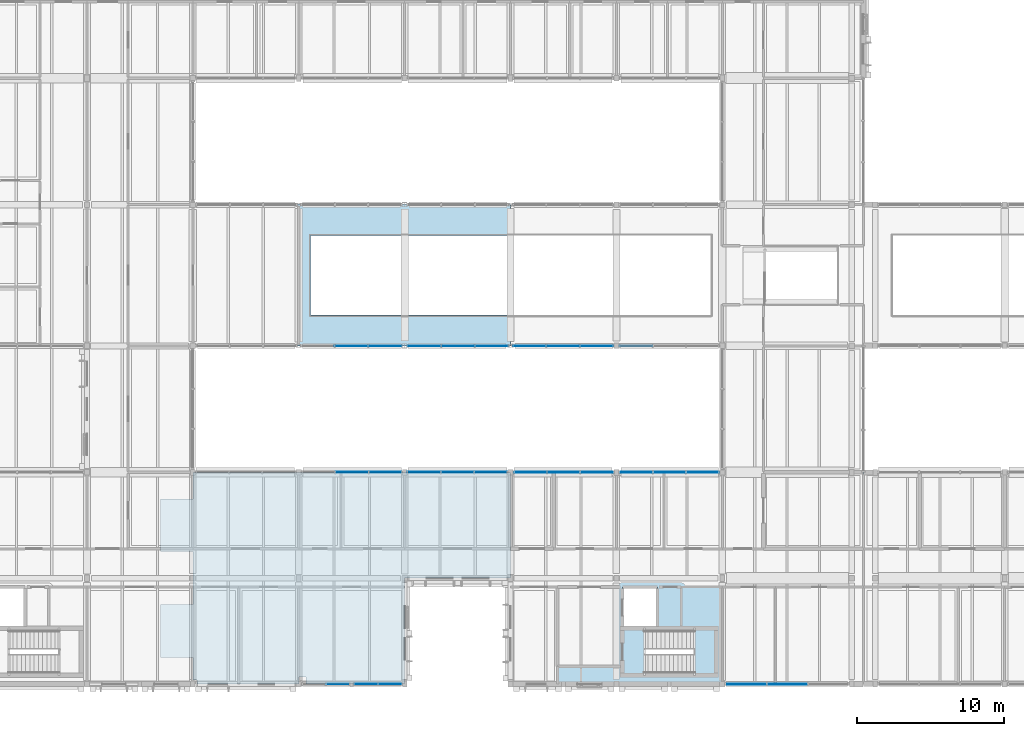
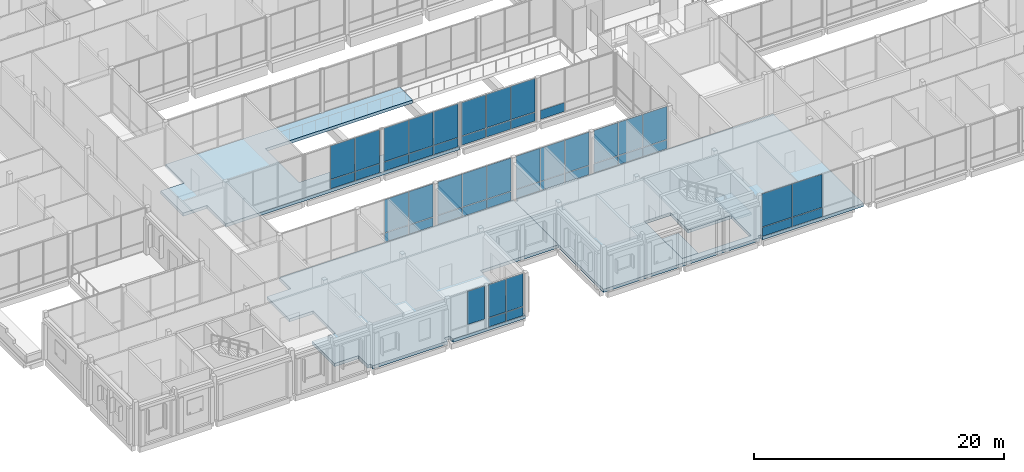
# One storey, part 96 of 146: 48 plates, 5 slabs, 12 elements without a shape of their own.
"""IFC4 building model written with IfcOpenShell, lengths in metres."""

from ifc_helpers import new_model, si_unit, direction, frame, origin, origin_2d, place, context, subcontext, project, spatial, polyline, rectangle, outline, extrude, material, layer, layer_set, type_object, element, aggregate, save


model = new_model("IFC4")

# Units and contexts
model_context = context("Model", 3, precision=1e-05, world=origin(), true_north=direction((0.0, 1.0)))
body_context = subcontext(model_context, "Body", "Model", "MODEL_VIEW")
ifc_project = project(units=[si_unit("LENGTHUNIT", "METRE"), si_unit("AREAUNIT", "SQUARE_METRE"), si_unit("VOLUMEUNIT", "CUBIC_METRE"), si_unit("PLANEANGLEUNIT", "RADIAN"), si_unit("MASSUNIT", "GRAM", prefix="KILO")], contexts=[model_context])

# Site, building, storey
site_placement = place(None, origin())
site = spatial("IfcSite", under=ifc_project, at=site_placement, CompositionType="ELEMENT")
building_placement = place(site_placement, origin())
building = spatial("IfcBuilding", under=site, at=building_placement, Name="Hawrajan Terrace Health Centre", CompositionType="ELEMENT")
storey_placement = place(building_placement, frame((0.0, 0.0, 4.5)))
storey = spatial("IfcBuildingStorey", under=building, at=storey_placement, Name="L01", CompositionType="ELEMENT", Elevation=4.5)

# Curtain wall, plates
ifc_material_1 = material(Name="Anodized bronze aluminium and low-E solar glazing", Category="aluminium")
curtain_wall_type_1 = type_object("IfcCurtainWallType", Name="CW_Garden_SeriesF1", PredefinedType="USERDEFINED", material=ifc_material_1)
curtain_wall_1_placement = place(storey_placement, origin())
curtain_wall_1 = element("IfcCurtainWall", 1, at=curtain_wall_1_placement, inside=storey, type_object=curtain_wall_type_1, Name="Curtain wall CW-L01-062", ObjectType="UNITISED CURTAIN WALL", PredefinedType="USERDEFINED")
ifc_material_2 = material(Name="Diffused north-light insulated glazing", Category="glass")
ifc_layer_1 = layer(ifc_material_2, 0.031982421875)
ifc_layer_set_1 = layer_set([ifc_layer_1], Name="Diffused north-light insulated glazing")
plate_type_1 = type_object("IfcPlateType", Name="ClerestoryGlassPanel_32", PredefinedType="CURTAIN_PANEL", material=ifc_layer_set_1)
plate_1_placement = place(storey_placement, frame((37.96875, 4.199951171875, 0.9814453125), z_axis=(0.0, 0.0, 1.0), x_axis=(1.0, 0.0, 0.0)))
plate_1 = element("IfcPlate", 2, at=plate_1_placement, type_object=plate_type_1, Name="Curtain panel CW-L01-062-P1-2", PredefinedType="CURTAIN_PANEL", context=body_context, shape_type="SweptSolid", body=[
    extrude(rectangle(XDim=1.5595703125, YDim=0.031982421875, at=origin_2d()), origin(), (0.0, 0.0, 1.0), 3.20947265625),
])
plate_2_placement = place(storey_placement, frame((39.59130859375, 4.199951171875, 0.9814453125), z_axis=(0.0, 0.0, 1.0), x_axis=(1.0, 0.0, 0.0)))
plate_2 = element("IfcPlate", 3, at=plate_2_placement, type_object=plate_type_1, Name="Curtain panel CW-L01-062-P2-2", PredefinedType="CURTAIN_PANEL", context=body_context, shape_type="SweptSolid", body=[
    extrude(rectangle(XDim=1.5595703125, YDim=0.031982421875, at=origin_2d()), origin(), (0.0, 0.0, 1.0), 3.20947265625),
])

curtain_wall_type_2 = type_object("IfcCurtainWallType", Name="CW_Court_SeriesA2", PredefinedType="USERDEFINED", material=ifc_material_1)
curtain_wall_2_placement = place(storey_placement, origin())
curtain_wall_2 = element("IfcCurtainWall", 4, at=curtain_wall_2_placement, inside=storey, type_object=curtain_wall_type_2, Name="Curtain wall CW-L01-074", ObjectType="UNITISED CURTAIN WALL", PredefinedType="USERDEFINED")
plate_3_placement = place(storey_placement, frame((49.086181640625, 27.199951171875, 0.9814453125), z_axis=(0.0, 0.0, 1.0), x_axis=(1.0, 0.0, 0.0)))
plate_3 = element("IfcPlate", 5, at=plate_3_placement, type_object=plate_type_1, Name="Curtain panel CW-L01-074-P1-2", PredefinedType="CURTAIN_PANEL", context=body_context, shape_type="SweptSolid", body=[
    extrude(rectangle(XDim=2.215576171875, YDim=0.031982421875, at=origin_2d()), origin(), (0.0, 0.0, 1.0), 3.24951171875),
])
plate_4_placement = place(storey_placement, frame((51.36474609375, 27.199951171875, 0.9814453125), z_axis=(0.0, 0.0, 1.0), x_axis=(1.0, 0.0, 0.0)))
plate_4 = element("IfcPlate", 6, at=plate_4_placement, type_object=plate_type_1, Name="Curtain panel CW-L01-074-P2-2", PredefinedType="CURTAIN_PANEL", context=body_context, shape_type="SweptSolid", body=[
    extrude(rectangle(XDim=2.215576171875, YDim=0.031982421875, at=origin_2d()), origin(), (0.0, 0.0, 1.0), 3.24951171875),
])
plate_5_placement = place(storey_placement, frame((53.643310546875, 27.199951171875, 0.9814453125), z_axis=(0.0, 0.0, 1.0), x_axis=(1.0, 0.0, 0.0)))
plate_5 = element("IfcPlate", 7, at=plate_5_placement, type_object=plate_type_1, Name="Curtain panel CW-L01-074-P3-2", PredefinedType="CURTAIN_PANEL", context=body_context, shape_type="SweptSolid", body=[
    extrude(rectangle(XDim=2.215576171875, YDim=0.031982421875, at=origin_2d()), origin(), (0.0, 0.0, 1.0), 3.24951171875),
])

curtain_wall_type_3 = type_object("IfcCurtainWallType", Name="CW_Court_SeriesB2", PredefinedType="USERDEFINED", material=ifc_material_1)
curtain_wall_3_placement = place(storey_placement, origin())
curtain_wall_3 = element("IfcCurtainWall", 8, at=curtain_wall_3_placement, inside=storey, type_object=curtain_wall_type_3, Name="Curtain wall CW-L01-077", ObjectType="UNITISED CURTAIN WALL", PredefinedType="USERDEFINED")
plate_6_placement = place(storey_placement, frame((56.328369140625, 18.60009765625, 0.9814453125), z_axis=(0.0, 0.0, 1.0), x_axis=(1.0, 0.0, 0.0)))
plate_6 = element("IfcPlate", 9, at=plate_6_placement, type_object=plate_type_1, Name="Curtain panel CW-L01-077-P1-2", PredefinedType="CURTAIN_PANEL", context=body_context, shape_type="SweptSolid", body=[
    extrude(rectangle(XDim=2.19873046875, YDim=0.031982421875, at=origin_2d()), origin(), (0.0, 0.0, 1.0), 3.20947265625),
])
plate_7_placement = place(storey_placement, frame((58.590087890625, 18.60009765625, 0.9814453125), z_axis=(0.0, 0.0, 1.0), x_axis=(1.0, 0.0, 0.0)))
plate_7 = element("IfcPlate", 10, at=plate_7_placement, type_object=plate_type_1, Name="Curtain panel CW-L01-077-P2-2", PredefinedType="CURTAIN_PANEL", context=body_context, shape_type="SweptSolid", body=[
    extrude(rectangle(XDim=2.19873046875, YDim=0.031982421875, at=origin_2d()), origin(), (0.0, 0.0, 1.0), 3.20947265625),
])
plate_8_placement = place(storey_placement, frame((60.851806640625, 18.60009765625, 0.9814453125), z_axis=(0.0, 0.0, 1.0), x_axis=(1.0, 0.0, 0.0)))
plate_8 = element("IfcPlate", 11, at=plate_8_placement, type_object=plate_type_1, Name="Curtain panel CW-L01-077-P3-2", PredefinedType="CURTAIN_PANEL", context=body_context, shape_type="SweptSolid", body=[
    extrude(rectangle(XDim=2.19873046875, YDim=0.031982421875, at=origin_2d()), origin(), (0.0, 0.0, 1.0), 3.20947265625),
])

# Slabs
ifc_material_3 = material(Name="Concrete C40/50", Category="concrete")
ifc_layer_2 = layer(ifc_material_3, 0.300048828125)
ifc_layer_set_2 = layer_set([ifc_layer_2], Name="Concrete C40/50")
slab_type_1 = type_object("IfcSlabType", Name="PodiumSlab_RC300", PredefinedType="FLOOR", material=ifc_layer_set_2)
slab_1_placement = place(storey_placement, frame((0.0, 0.0, -0.300048828125)))
element("IfcSlab", 12, at=slab_1_placement, inside=storey, type_object=slab_type_1, Name="Structural slab SL-L01-W-V1-Z1-1", PredefinedType="FLOOR", context=body_context, shape_type="SweptSolid", body=[
    extrude(outline(polyline([(33.39990234375, 36.800048828125), (40.60009765625, 36.800048828125), (47.800048828125, 36.800048828125), (47.800048828125, 34.699951171875), (34.199951171875, 34.699951171875), (34.199951171875, 29.300048828125), (47.800048828125, 29.300048828125), (47.800048828125, 27.199951171875), (40.60009765625, 27.199951171875), (33.39990234375, 27.199951171875), (26.201904296875, 27.199951171875), (26.201904296875, 30.201904296875), (24.001953125, 30.201904296875), (24.001953125, 33.798095703125), (26.201904296875, 33.798095703125), (26.201904296875, 36.800048828125), (33.39990234375, 36.800048828125)])), origin(), (0.0, 0.0, 1.0), 0.300048828125),
])
slab_2_placement = place(storey_placement, frame((0.0, 0.0, -0.300048828125)))
element("IfcSlab", 13, at=slab_2_placement, inside=storey, type_object=slab_type_1, Name="Structural slab SL-L01-W-V3-Z2-1", PredefinedType="FLOOR", context=body_context, shape_type="SweptSolid", body=[
    extrude(outline(polyline([(48.080078125, 18.320068359375), (48.080078125, 18.60009765625), (55.0, 18.60009765625), (62.197998046875, 18.60009765625), (62.197998046875, 18.597900390625), (71.794921875, 18.597900390625), (71.794921875, 11.39990234375), (71.794921875, 4.199951171875), (62.47998046875, 4.199951171875), (62.47998046875, 4.47998046875), (62.199951171875, 4.47998046875), (62.199951171875, 4.199951171875), (55.0, 4.199951171875), (47.800048828125, 4.199951171875), (47.800048828125, 11.39990234375), (47.800048828125, 18.320068359375), (48.080078125, 18.320068359375)]), holes=[polyline([(55.39990234375, 8.0), (55.39990234375, 4.800048828125), (61.800048828125, 4.800048828125), (61.800048828125, 8.0), (57.800048828125, 8.0), (57.800048828125, 10.800048828125), (55.39990234375, 10.800048828125), (55.39990234375, 8.0)])]), origin(), (0.0, 0.0, 1.0), 0.300048828125),
])
slab_3_placement = place(storey_placement, frame((0.0, 0.0, -0.300048828125)))
element("IfcSlab", 14, at=slab_3_placement, inside=storey, type_object=slab_type_1, Name="Structural slab SL-L01-W-V4-Z1-1", PredefinedType="FLOOR", context=body_context, shape_type="SweptSolid", body=[
    extrude(outline(polyline([(33.39990234375, 18.60009765625), (40.60009765625, 18.60009765625), (47.800048828125, 18.60009765625), (47.800048828125, 18.322021484375), (47.798095703125, 18.322021484375), (47.798095703125, 11.39990234375), (40.60009765625, 11.39990234375), (40.60009765625, 4.199951171875), (33.89990234375, 4.199951171875), (33.89990234375, 4.699951171875), (33.39990234375, 4.699951171875), (33.39990234375, 4.199951171875), (26.47998046875, 4.199951171875), (26.47998046875, 4.47998046875), (26.201904296875, 4.47998046875), (26.201904296875, 6.001953125), (24.001953125, 6.001953125), (24.001953125, 9.597900390625), (26.201904296875, 9.597900390625), (26.201904296875, 13.201904296875), (24.001953125, 13.201904296875), (24.001953125, 16.798095703125), (26.201904296875, 16.798095703125), (26.201904296875, 18.597900390625), (26.201904296875, 18.60009765625), (33.39990234375, 18.60009765625)])), origin(), (0.0, 0.0, 1.0), 0.300048828125),
])

# Plate
ifc_material_4 = material(Name="Insulated anodized bronze spandrel panel")
ifc_layer_3 = layer(ifc_material_4, 0.048095703125)
ifc_layer_set_3 = layer_set([ifc_layer_3], Name="Insulated anodized bronze spandrel panel")
plate_type_2 = type_object("IfcPlateType", Name="SpandrelPanel_Bronze48", PredefinedType="CURTAIN_PANEL", material=ifc_layer_set_3)
plate_9_placement = place(storey_placement, frame((37.96875, 4.199951171875, 0.069091796875), z_axis=(0.0, 0.0, 1.0), x_axis=(1.0, 0.0, 0.0)))
plate_9 = element("IfcPlate", 15, at=plate_9_placement, type_object=plate_type_2, Name="Curtain panel CW-L01-062-P1-1", PredefinedType="CURTAIN_PANEL", context=body_context, shape_type="SweptSolid", body=[
    extrude(rectangle(XDim=1.5595703125, YDim=0.048095703125, at=origin_2d()), origin(), (0.0, 0.0, 1.0), 0.849609375),
])

plate_10_placement = place(storey_placement, frame((39.59130859375, 4.199951171875, 0.069091796875), z_axis=(0.0, 0.0, 1.0), x_axis=(1.0, 0.0, 0.0)))
plate_10 = element("IfcPlate", 16, at=plate_10_placement, type_object=plate_type_2, Name="Curtain panel CW-L01-062-P2-1", PredefinedType="CURTAIN_PANEL", context=body_context, shape_type="SweptSolid", body=[
    extrude(rectangle(XDim=1.5595703125, YDim=0.048095703125, at=origin_2d()), origin(), (0.0, 0.0, 1.0), 0.849609375),
])

aggregate(curtain_wall_1, [plate_9, plate_1, plate_10, plate_2])

# Curtain wall, plates
curtain_wall_type_4 = type_object("IfcCurtainWallType", Name="CW_Clerestory_SeriesG1", PredefinedType="USERDEFINED", material=ifc_material_1)
curtain_wall_4_placement = place(storey_placement, origin())
curtain_wall_4 = element("IfcCurtainWall", 17, at=curtain_wall_4_placement, inside=storey, type_object=curtain_wall_type_4, Name="Curtain wall CW-L01-064", ObjectType="UNITISED CURTAIN WALL", PredefinedType="USERDEFINED")
plate_11_placement = place(storey_placement, frame((36.979736328125, 27.199951171875, 0.05908203125), z_axis=(0.0, 0.0, 1.0), x_axis=(1.0, 0.0, 0.0)))
plate_11 = element("IfcPlate", 18, at=plate_11_placement, type_object=plate_type_2, Name="Curtain panel CW-L01-064-P2-1", PredefinedType="CURTAIN_PANEL", context=body_context, shape_type="SweptSolid", body=[
    extrude(rectangle(XDim=2.23876953125, YDim=0.048095703125, at=origin_2d()), origin(), (0.0, 0.0, 1.0), 0.864501953125),
])
plate_12_placement = place(storey_placement, frame((39.271484375, 27.199951171875, 0.05908203125), z_axis=(0.0, 0.0, 1.0), x_axis=(1.0, 0.0, 0.0)))
plate_12 = element("IfcPlate", 19, at=plate_12_placement, type_object=plate_type_2, Name="Curtain panel CW-L01-064-P3-1", PredefinedType="CURTAIN_PANEL", context=body_context, shape_type="SweptSolid", body=[
    extrude(rectangle(XDim=2.23876953125, YDim=0.048095703125, at=origin_2d()), origin(), (0.0, 0.0, 1.0), 0.864501953125),
])

curtain_wall_type_5 = type_object("IfcCurtainWallType", Name="CW_Setback_SeriesL1", PredefinedType="USERDEFINED", material=ifc_material_1)
curtain_wall_5_placement = place(storey_placement, origin())
curtain_wall_5 = element("IfcCurtainWall", 20, at=curtain_wall_5_placement, inside=storey, type_object=curtain_wall_type_5, Name="Curtain wall CW-L01-070", ObjectType="UNITISED CURTAIN WALL", PredefinedType="USERDEFINED")
plate_13_placement = place(storey_placement, frame((41.928466796875, 27.199951171875, 0.05908203125), z_axis=(0.0, 0.0, 1.0), x_axis=(1.0, 0.0, 0.0)))
plate_13 = element("IfcPlate", 21, at=plate_13_placement, type_object=plate_type_2, Name="Curtain panel CW-L01-070-P1-1", PredefinedType="CURTAIN_PANEL", context=body_context, shape_type="SweptSolid", body=[
    extrude(rectangle(XDim=2.23876953125, YDim=0.048095703125, at=origin_2d()), origin(), (0.0, 0.0, 1.0), 0.864501953125),
])
plate_14_placement = place(storey_placement, frame((44.22021484375, 27.199951171875, 0.05908203125), z_axis=(0.0, 0.0, 1.0), x_axis=(1.0, 0.0, 0.0)))
plate_14 = element("IfcPlate", 22, at=plate_14_placement, type_object=plate_type_2, Name="Curtain panel CW-L01-070-P2-1", PredefinedType="CURTAIN_PANEL", context=body_context, shape_type="SweptSolid", body=[
    extrude(rectangle(XDim=2.23876953125, YDim=0.048095703125, at=origin_2d()), origin(), (0.0, 0.0, 1.0), 0.864501953125),
])
plate_15_placement = place(storey_placement, frame((46.511962890625, 27.199951171875, 0.05908203125), z_axis=(0.0, 0.0, 1.0), x_axis=(1.0, 0.0, 0.0)))
plate_15 = element("IfcPlate", 23, at=plate_15_placement, type_object=plate_type_2, Name="Curtain panel CW-L01-070-P3-1", PredefinedType="CURTAIN_PANEL", context=body_context, shape_type="SweptSolid", body=[
    extrude(rectangle(XDim=2.23876953125, YDim=0.048095703125, at=origin_2d()), origin(), (0.0, 0.0, 1.0), 0.864501953125),
])

# Plate
plate_16_placement = place(storey_placement, frame((49.086181640625, 27.199951171875, 0.069091796875), z_axis=(0.0, 0.0, 1.0), x_axis=(1.0, 0.0, 0.0)))
plate_16 = element("IfcPlate", 24, at=plate_16_placement, type_object=plate_type_2, Name="Curtain panel CW-L01-074-P1-1", PredefinedType="CURTAIN_PANEL", context=body_context, shape_type="SweptSolid", body=[
    extrude(rectangle(XDim=2.215576171875, YDim=0.048095703125, at=origin_2d()), origin(), (0.0, 0.0, 1.0), 0.849609375),
])

plate_17_placement = place(storey_placement, frame((51.36474609375, 27.199951171875, 0.069091796875), z_axis=(0.0, 0.0, 1.0), x_axis=(1.0, 0.0, 0.0)))
plate_17 = element("IfcPlate", 25, at=plate_17_placement, type_object=plate_type_2, Name="Curtain panel CW-L01-074-P2-1", PredefinedType="CURTAIN_PANEL", context=body_context, shape_type="SweptSolid", body=[
    extrude(rectangle(XDim=2.215576171875, YDim=0.048095703125, at=origin_2d()), origin(), (0.0, 0.0, 1.0), 0.849609375),
])

plate_18_placement = place(storey_placement, frame((53.643310546875, 27.199951171875, 0.069091796875), z_axis=(0.0, 0.0, 1.0), x_axis=(1.0, 0.0, 0.0)))
plate_18 = element("IfcPlate", 26, at=plate_18_placement, type_object=plate_type_2, Name="Curtain panel CW-L01-074-P3-1", PredefinedType="CURTAIN_PANEL", context=body_context, shape_type="SweptSolid", body=[
    extrude(rectangle(XDim=2.215576171875, YDim=0.048095703125, at=origin_2d()), origin(), (0.0, 0.0, 1.0), 0.849609375),
])

aggregate(curtain_wall_2, [plate_16, plate_3, plate_17, plate_4, plate_18, plate_5])

# Curtain wall, plate
curtain_wall_type_6 = type_object("IfcCurtainWallType", Name="CW_Court_SeriesB3", PredefinedType="USERDEFINED", material=ifc_material_1)
curtain_wall_6_placement = place(storey_placement, origin())
curtain_wall_6 = element("IfcCurtainWall", 27, at=curtain_wall_6_placement, inside=storey, type_object=curtain_wall_type_6, Name="Curtain wall CW-L01-078", ObjectType="UNITISED CURTAIN WALL", PredefinedType="USERDEFINED")
plate_19_placement = place(storey_placement, frame((56.341796875, 27.199951171875, 0.05908203125), z_axis=(0.0, 0.0, 1.0), x_axis=(1.0, 0.0, 0.0)))
plate_19 = element("IfcPlate", 28, at=plate_19_placement, type_object=plate_type_2, Name="Curtain panel CW-L01-078-P1-1", PredefinedType="CURTAIN_PANEL", context=body_context, shape_type="SweptSolid", body=[
    extrude(rectangle(XDim=2.205322265625, YDim=0.048095703125, at=origin_2d()), origin(), (0.0, 0.0, 1.0), 0.864501953125),
])
aggregate(curtain_wall_6, [plate_19])

# Curtain wall, plates
curtain_wall_type_7 = type_object("IfcCurtainWallType", Name="CW_Garden_SeriesF2", PredefinedType="USERDEFINED", material=ifc_material_1)
curtain_wall_7_placement = place(storey_placement, origin())
curtain_wall_7 = element("IfcCurtainWall", 29, at=curtain_wall_7_placement, inside=storey, type_object=curtain_wall_type_7, Name="Curtain wall CW-L01-063", ObjectType="UNITISED CURTAIN WALL", PredefinedType="USERDEFINED")
ifc_material_5 = material(Name="Insulated reconstituted coral-stone spandrel", Category="masonry")
ifc_layer_4 = layer(ifc_material_5, 0.055908203125)
ifc_layer_set_4 = layer_set([ifc_layer_4], Name="Insulated reconstituted coral-stone spandrel")
plate_type_3 = type_object("IfcPlateType", Name="SpandrelPanel_Coral56", PredefinedType="CURTAIN_PANEL", material=ifc_layer_set_4)
plate_20_placement = place(storey_placement, frame((37.010009765625, 18.60009765625, 0.05908203125), z_axis=(0.0, 0.0, 1.0), x_axis=(1.0, 0.0, 0.0)))
plate_20 = element("IfcPlate", 30, at=plate_20_placement, type_object=plate_type_3, Name="Curtain panel CW-L01-063-P2-1", PredefinedType="CURTAIN_PANEL", context=body_context, shape_type="SweptSolid", body=[
    extrude(rectangle(XDim=2.2119140625, YDim=0.055908203125, at=origin_2d()), origin(), (0.0, 0.0, 1.0), 0.864501953125),
])
plate_21_placement = place(storey_placement, frame((39.27490234375, 18.60009765625, 0.05908203125), z_axis=(0.0, 0.0, 1.0), x_axis=(1.0, 0.0, 0.0)))
plate_21 = element("IfcPlate", 31, at=plate_21_placement, type_object=plate_type_3, Name="Curtain panel CW-L01-063-P3-1", PredefinedType="CURTAIN_PANEL", context=body_context, shape_type="SweptSolid", body=[
    extrude(rectangle(XDim=2.2119140625, YDim=0.055908203125, at=origin_2d()), origin(), (0.0, 0.0, 1.0), 0.864501953125),
])

curtain_wall_type_8 = type_object("IfcCurtainWallType", Name="CW_Terrace_SeriesK1", PredefinedType="USERDEFINED", material=ifc_material_1)
curtain_wall_8_placement = place(storey_placement, origin())
curtain_wall_8 = element("IfcCurtainWall", 32, at=curtain_wall_8_placement, inside=storey, type_object=curtain_wall_type_8, Name="Curtain wall CW-L01-069", ObjectType="UNITISED CURTAIN WALL", PredefinedType="USERDEFINED")
plate_22_placement = place(storey_placement, frame((41.925048828125, 18.60009765625, 0.05908203125), z_axis=(0.0, 0.0, 1.0), x_axis=(1.0, 0.0, 0.0)))
plate_22 = element("IfcPlate", 33, at=plate_22_placement, type_object=plate_type_3, Name="Curtain panel CW-L01-069-P1-1", PredefinedType="CURTAIN_PANEL", context=body_context, shape_type="SweptSolid", body=[
    extrude(rectangle(XDim=2.2119140625, YDim=0.055908203125, at=origin_2d()), origin(), (0.0, 0.0, 1.0), 0.864501953125),
])
plate_23_placement = place(storey_placement, frame((44.18994140625, 18.60009765625, 0.05908203125), z_axis=(0.0, 0.0, 1.0), x_axis=(1.0, 0.0, 0.0)))
plate_23 = element("IfcPlate", 34, at=plate_23_placement, type_object=plate_type_3, Name="Curtain panel CW-L01-069-P2-1", PredefinedType="CURTAIN_PANEL", context=body_context, shape_type="SweptSolid", body=[
    extrude(rectangle(XDim=2.2119140625, YDim=0.055908203125, at=origin_2d()), origin(), (0.0, 0.0, 1.0), 0.864501953125),
])
plate_24_placement = place(storey_placement, frame((46.455078125, 18.60009765625, 0.05908203125), z_axis=(0.0, 0.0, 1.0), x_axis=(1.0, 0.0, 0.0)))
plate_24 = element("IfcPlate", 35, at=plate_24_placement, type_object=plate_type_3, Name="Curtain panel CW-L01-069-P3-1", PredefinedType="CURTAIN_PANEL", context=body_context, shape_type="SweptSolid", body=[
    extrude(rectangle(XDim=2.2119140625, YDim=0.055908203125, at=origin_2d()), origin(), (0.0, 0.0, 1.0), 0.864501953125),
])

curtain_wall_type_9 = type_object("IfcCurtainWallType", Name="CW_Court_SeriesA1", PredefinedType="USERDEFINED", material=ifc_material_1)
curtain_wall_9_placement = place(storey_placement, origin())
curtain_wall_9 = element("IfcCurtainWall", 36, at=curtain_wall_9_placement, inside=storey, type_object=curtain_wall_type_9, Name="Curtain wall CW-L01-073", ObjectType="UNITISED CURTAIN WALL", PredefinedType="USERDEFINED")
plate_25_placement = place(storey_placement, frame((49.14501953125, 18.60009765625, 0.05908203125), z_axis=(0.0, 0.0, 1.0), x_axis=(1.0, 0.0, 0.0)))
plate_25 = element("IfcPlate", 37, at=plate_25_placement, type_object=plate_type_3, Name="Curtain panel CW-L01-073-P1-1", PredefinedType="CURTAIN_PANEL", context=body_context, shape_type="SweptSolid", body=[
    extrude(rectangle(XDim=2.2119140625, YDim=0.055908203125, at=origin_2d()), origin(), (0.0, 0.0, 1.0), 0.864501953125),
])
plate_26_placement = place(storey_placement, frame((51.409912109375, 18.60009765625, 0.05908203125), z_axis=(0.0, 0.0, 1.0), x_axis=(1.0, 0.0, 0.0)))
plate_26 = element("IfcPlate", 38, at=plate_26_placement, type_object=plate_type_3, Name="Curtain panel CW-L01-073-P2-1", PredefinedType="CURTAIN_PANEL", context=body_context, shape_type="SweptSolid", body=[
    extrude(rectangle(XDim=2.2119140625, YDim=0.055908203125, at=origin_2d()), origin(), (0.0, 0.0, 1.0), 0.864501953125),
])
plate_27_placement = place(storey_placement, frame((53.675048828125, 18.60009765625, 0.05908203125), z_axis=(0.0, 0.0, 1.0), x_axis=(1.0, 0.0, 0.0)))
plate_27 = element("IfcPlate", 39, at=plate_27_placement, type_object=plate_type_3, Name="Curtain panel CW-L01-073-P3-1", PredefinedType="CURTAIN_PANEL", context=body_context, shape_type="SweptSolid", body=[
    extrude(rectangle(XDim=2.2119140625, YDim=0.055908203125, at=origin_2d()), origin(), (0.0, 0.0, 1.0), 0.864501953125),
])

# Plate
plate_28_placement = place(storey_placement, frame((56.328369140625, 18.60009765625, 0.069091796875), z_axis=(0.0, 0.0, 1.0), x_axis=(1.0, 0.0, 0.0)))
plate_28 = element("IfcPlate", 40, at=plate_28_placement, type_object=plate_type_3, Name="Curtain panel CW-L01-077-P1-1", PredefinedType="CURTAIN_PANEL", context=body_context, shape_type="SweptSolid", body=[
    extrude(rectangle(XDim=2.19873046875, YDim=0.055908203125, at=origin_2d()), origin(), (0.0, 0.0, 1.0), 0.849609375),
])

plate_29_placement = place(storey_placement, frame((58.590087890625, 18.60009765625, 0.069091796875), z_axis=(0.0, 0.0, 1.0), x_axis=(1.0, 0.0, 0.0)))
plate_29 = element("IfcPlate", 41, at=plate_29_placement, type_object=plate_type_3, Name="Curtain panel CW-L01-077-P2-1", PredefinedType="CURTAIN_PANEL", context=body_context, shape_type="SweptSolid", body=[
    extrude(rectangle(XDim=2.19873046875, YDim=0.055908203125, at=origin_2d()), origin(), (0.0, 0.0, 1.0), 0.849609375),
])

plate_30_placement = place(storey_placement, frame((60.851806640625, 18.60009765625, 0.069091796875), z_axis=(0.0, 0.0, 1.0), x_axis=(1.0, 0.0, 0.0)))
plate_30 = element("IfcPlate", 42, at=plate_30_placement, type_object=plate_type_3, Name="Curtain panel CW-L01-077-P3-1", PredefinedType="CURTAIN_PANEL", context=body_context, shape_type="SweptSolid", body=[
    extrude(rectangle(XDim=2.19873046875, YDim=0.055908203125, at=origin_2d()), origin(), (0.0, 0.0, 1.0), 0.849609375),
])

aggregate(curtain_wall_3, [plate_28, plate_6, plate_29, plate_7, plate_30, plate_8])

# Curtain wall, plates
curtain_wall_type_10 = type_object("IfcCurtainWallType", Name="CW_CourtNS_SeriesC3", PredefinedType="USERDEFINED", material=ifc_material_1)
curtain_wall_10_placement = place(storey_placement, origin())
curtain_wall_10 = element("IfcCurtainWall", 43, at=curtain_wall_10_placement, inside=storey, type_object=curtain_wall_type_10, Name="Curtain wall CW-L01-081", ObjectType="UNITISED CURTAIN WALL", PredefinedType="USERDEFINED")
plate_31_placement = place(storey_placement, frame((63.811767578125, 4.199951171875, 0.05908203125), z_axis=(0.0, 0.0, 1.0), x_axis=(1.0, 0.0, 0.0)))
plate_31 = element("IfcPlate", 44, at=plate_31_placement, type_object=plate_type_3, Name="Curtain panel CW-L01-081-P1-1", PredefinedType="CURTAIN_PANEL", context=body_context, shape_type="SweptSolid", body=[
    extrude(rectangle(XDim=2.745361328125, YDim=0.055908203125, at=origin_2d()), origin(), (0.0, 0.0, 1.0), 0.864501953125),
])
plate_32_placement = place(storey_placement, frame((66.610107421875, 4.199951171875, 0.05908203125), z_axis=(0.0, 0.0, 1.0), x_axis=(1.0, 0.0, 0.0)))
plate_32 = element("IfcPlate", 45, at=plate_32_placement, type_object=plate_type_3, Name="Curtain panel CW-L01-081-P2-1", PredefinedType="CURTAIN_PANEL", context=body_context, shape_type="SweptSolid", body=[
    extrude(rectangle(XDim=2.745361328125, YDim=0.055908203125, at=origin_2d()), origin(), (0.0, 0.0, 1.0), 0.864501953125),
])

# Stair, slabs
stair_type = type_object("IfcStairType", Name="Stair_4500_W1300", PredefinedType="HALF_TURN_STAIR", material=ifc_material_3)
stair_placement = place(storey_placement, origin())
stair = element("IfcStair", 46, at=stair_placement, inside=storey, type_object=stair_type, Name="Stair ST-4-L01", PredefinedType="HALF_TURN_STAIR")
ifc_layer_5 = layer(ifc_material_3, 0.219970703125)
ifc_layer_set_5 = layer_set([ifc_layer_5], Name="Concrete C40/50")
slab_type_2 = type_object("IfcSlabType", Name="StairLanding_RC220", PredefinedType="LANDING", material=ifc_layer_set_5)
slab_4_placement = place(storey_placement, frame((0.0, 0.0, -0.219970703125)))
slab_4 = element("IfcSlab", 47, at=slab_4_placement, type_object=slab_type_2, Name="Stair floor landing ST-4-L01-L0", PredefinedType="LANDING", context=body_context, shape_type="SweptSolid", body=[
    extrude(outline(polyline([(55.39990234375, 4.800048828125), (56.89990234375, 4.800048828125), (56.89990234375, 8.0), (55.39990234375, 8.0), (55.39990234375, 4.800048828125)])), origin(), (0.0, 0.0, 1.0), 0.219970703125),
])
slab_5_placement = place(storey_placement, frame((0.0, 0.0, 2.030029296875)))
slab_5 = element("IfcSlab", 48, at=slab_5_placement, type_object=slab_type_2, Name="Stair half landing ST-4-L01-L1", PredefinedType="LANDING", context=body_context, shape_type="SweptSolid", body=[
    extrude(outline(polyline([(60.300048828125, 4.800048828125), (61.800048828125, 4.800048828125), (61.800048828125, 8.0), (60.300048828125, 8.0), (60.300048828125, 4.800048828125)])), origin(), (0.0, 0.0, 1.0), 0.219970703125),
])
aggregate(stair, [slab_4, slab_5])

# Plate
ifc_material_6 = material(Name="Double-glazed solar control low-E glass", Category="glass")
ifc_layer_6 = layer(ifc_material_6, 0.028076171875)
ifc_layer_set_6 = layer_set([ifc_layer_6], Name="Double-glazed solar control low-E glass")
plate_type_4 = type_object("IfcPlateType", Name="VisionGlassPanel_28", PredefinedType="CURTAIN_PANEL", material=ifc_layer_set_6)
plate_33_placement = place(storey_placement, frame((37.010009765625, 18.60009765625, 0.976318359375), z_axis=(0.0, 0.0, 1.0), x_axis=(1.0, 0.0, 0.0)))
plate_33 = element("IfcPlate", 49, at=plate_33_placement, type_object=plate_type_4, Name="Curtain panel CW-L01-063-P2-2", PredefinedType="CURTAIN_PANEL", context=body_context, shape_type="SweptSolid", body=[
    extrude(rectangle(XDim=2.2119140625, YDim=0.028076171875, at=origin_2d()), origin(), (0.0, 0.0, 1.0), 3.224609375),
])

plate_34_placement = place(storey_placement, frame((39.27490234375, 18.60009765625, 0.976318359375), z_axis=(0.0, 0.0, 1.0), x_axis=(1.0, 0.0, 0.0)))
plate_34 = element("IfcPlate", 50, at=plate_34_placement, type_object=plate_type_4, Name="Curtain panel CW-L01-063-P3-2", PredefinedType="CURTAIN_PANEL", context=body_context, shape_type="SweptSolid", body=[
    extrude(rectangle(XDim=2.2119140625, YDim=0.028076171875, at=origin_2d()), origin(), (0.0, 0.0, 1.0), 3.224609375),
])

aggregate(curtain_wall_7, [plate_20, plate_33, plate_21, plate_34])

plate_35_placement = place(storey_placement, frame((41.925048828125, 18.60009765625, 0.976318359375), z_axis=(0.0, 0.0, 1.0), x_axis=(1.0, 0.0, 0.0)))
plate_35 = element("IfcPlate", 51, at=plate_35_placement, type_object=plate_type_4, Name="Curtain panel CW-L01-069-P1-2", PredefinedType="CURTAIN_PANEL", context=body_context, shape_type="SweptSolid", body=[
    extrude(rectangle(XDim=2.2119140625, YDim=0.028076171875, at=origin_2d()), origin(), (0.0, 0.0, 1.0), 3.224609375),
])

plate_36_placement = place(storey_placement, frame((44.18994140625, 18.60009765625, 0.976318359375), z_axis=(0.0, 0.0, 1.0), x_axis=(1.0, 0.0, 0.0)))
plate_36 = element("IfcPlate", 52, at=plate_36_placement, type_object=plate_type_4, Name="Curtain panel CW-L01-069-P2-2", PredefinedType="CURTAIN_PANEL", context=body_context, shape_type="SweptSolid", body=[
    extrude(rectangle(XDim=2.2119140625, YDim=0.028076171875, at=origin_2d()), origin(), (0.0, 0.0, 1.0), 3.224609375),
])

plate_37_placement = place(storey_placement, frame((46.455078125, 18.60009765625, 0.976318359375), z_axis=(0.0, 0.0, 1.0), x_axis=(1.0, 0.0, 0.0)))
plate_37 = element("IfcPlate", 53, at=plate_37_placement, type_object=plate_type_4, Name="Curtain panel CW-L01-069-P3-2", PredefinedType="CURTAIN_PANEL", context=body_context, shape_type="SweptSolid", body=[
    extrude(rectangle(XDim=2.2119140625, YDim=0.028076171875, at=origin_2d()), origin(), (0.0, 0.0, 1.0), 3.224609375),
])

aggregate(curtain_wall_8, [plate_22, plate_35, plate_23, plate_36, plate_24, plate_37])

plate_38_placement = place(storey_placement, frame((63.811767578125, 4.199951171875, 0.976318359375), z_axis=(0.0, 0.0, 1.0), x_axis=(1.0, 0.0, 0.0)))
plate_38 = element("IfcPlate", 54, at=plate_38_placement, type_object=plate_type_4, Name="Curtain panel CW-L01-081-P1-2", PredefinedType="CURTAIN_PANEL", context=body_context, shape_type="SweptSolid", body=[
    extrude(rectangle(XDim=2.745361328125, YDim=0.028076171875, at=origin_2d()), origin(), (0.0, 0.0, 1.0), 3.224609375),
])

plate_39_placement = place(storey_placement, frame((66.610107421875, 4.199951171875, 0.976318359375), z_axis=(0.0, 0.0, 1.0), x_axis=(1.0, 0.0, 0.0)))
plate_39 = element("IfcPlate", 55, at=plate_39_placement, type_object=plate_type_4, Name="Curtain panel CW-L01-081-P2-2", PredefinedType="CURTAIN_PANEL", context=body_context, shape_type="SweptSolid", body=[
    extrude(rectangle(XDim=2.745361328125, YDim=0.028076171875, at=origin_2d()), origin(), (0.0, 0.0, 1.0), 3.224609375),
])

aggregate(curtain_wall_10, [plate_31, plate_38, plate_32, plate_39])

# Curtain wall, plate
curtain_wall_type_11 = type_object("IfcCurtainWallType", Name="CW_Pavilion_SeriesE2", PredefinedType="USERDEFINED", material=ifc_material_1)
curtain_wall_11_placement = place(storey_placement, origin())
curtain_wall_11 = element("IfcCurtainWall", 56, at=curtain_wall_11_placement, inside=storey, type_object=curtain_wall_type_11, Name="Curtain wall CW-L01-061", ObjectType="UNITISED CURTAIN WALL", PredefinedType="USERDEFINED")
ifc_material_7 = material(Name="Triple-glazed solar acoustic low-E glass", Category="glass")
ifc_layer_7 = layer(ifc_material_7, 0.035888671875)
ifc_layer_set_7 = layer_set([ifc_layer_7], Name="Triple-glazed solar acoustic low-E glass")
plate_type_5 = type_object("IfcPlateType", Name="VisionGlassPanel_36", PredefinedType="CURTAIN_PANEL", material=ifc_layer_set_7)
plate_40_placement = place(storey_placement, frame((36.038818359375, 4.199951171875, 0.976318359375), z_axis=(0.0, 0.0, 1.0), x_axis=(1.0, 0.0, 0.0)))
plate_40 = element("IfcPlate", 57, at=plate_40_placement, type_object=plate_type_5, Name="Curtain panel CW-L01-061-P2-2", PredefinedType="CURTAIN_PANEL", context=body_context, shape_type="SweptSolid", body=[
    extrude(rectangle(XDim=1.564453125, YDim=0.035888671875, at=origin_2d()), origin(), (0.0, 0.0, 1.0), 3.224609375),
])
aggregate(curtain_wall_11, [plate_40])

# Plate
plate_41_placement = place(storey_placement, frame((36.979736328125, 27.199951171875, 0.9765625), z_axis=(0.0, 0.0, 1.0), x_axis=(1.0, 0.0, 0.0)))
plate_41 = element("IfcPlate", 58, at=plate_41_placement, type_object=plate_type_5, Name="Curtain panel CW-L01-064-P2-2", PredefinedType="CURTAIN_PANEL", context=body_context, shape_type="SweptSolid", body=[
    extrude(rectangle(XDim=2.23876953125, YDim=0.035888671875, at=origin_2d()), origin(), (0.0, 0.0, 1.0), 3.264404296875),
])

plate_42_placement = place(storey_placement, frame((39.271484375, 27.199951171875, 0.9765625), z_axis=(0.0, 0.0, 1.0), x_axis=(1.0, 0.0, 0.0)))
plate_42 = element("IfcPlate", 59, at=plate_42_placement, type_object=plate_type_5, Name="Curtain panel CW-L01-064-P3-2", PredefinedType="CURTAIN_PANEL", context=body_context, shape_type="SweptSolid", body=[
    extrude(rectangle(XDim=2.23876953125, YDim=0.035888671875, at=origin_2d()), origin(), (0.0, 0.0, 1.0), 3.264404296875),
])

aggregate(curtain_wall_4, [plate_11, plate_41, plate_12, plate_42])

plate_43_placement = place(storey_placement, frame((41.928466796875, 27.199951171875, 0.9765625), z_axis=(0.0, 0.0, 1.0), x_axis=(1.0, 0.0, 0.0)))
plate_43 = element("IfcPlate", 60, at=plate_43_placement, type_object=plate_type_5, Name="Curtain panel CW-L01-070-P1-2", PredefinedType="CURTAIN_PANEL", context=body_context, shape_type="SweptSolid", body=[
    extrude(rectangle(XDim=2.23876953125, YDim=0.035888671875, at=origin_2d()), origin(), (0.0, 0.0, 1.0), 3.264404296875),
])

plate_44_placement = place(storey_placement, frame((44.22021484375, 27.199951171875, 0.9765625), z_axis=(0.0, 0.0, 1.0), x_axis=(1.0, 0.0, 0.0)))
plate_44 = element("IfcPlate", 61, at=plate_44_placement, type_object=plate_type_5, Name="Curtain panel CW-L01-070-P2-2", PredefinedType="CURTAIN_PANEL", context=body_context, shape_type="SweptSolid", body=[
    extrude(rectangle(XDim=2.23876953125, YDim=0.035888671875, at=origin_2d()), origin(), (0.0, 0.0, 1.0), 3.264404296875),
])

plate_45_placement = place(storey_placement, frame((46.511962890625, 27.199951171875, 0.9765625), z_axis=(0.0, 0.0, 1.0), x_axis=(1.0, 0.0, 0.0)))
plate_45 = element("IfcPlate", 62, at=plate_45_placement, type_object=plate_type_5, Name="Curtain panel CW-L01-070-P3-2", PredefinedType="CURTAIN_PANEL", context=body_context, shape_type="SweptSolid", body=[
    extrude(rectangle(XDim=2.23876953125, YDim=0.035888671875, at=origin_2d()), origin(), (0.0, 0.0, 1.0), 3.264404296875),
])

aggregate(curtain_wall_5, [plate_13, plate_43, plate_14, plate_44, plate_15, plate_45])

plate_46_placement = place(storey_placement, frame((49.14501953125, 18.60009765625, 0.976318359375), z_axis=(0.0, 0.0, 1.0), x_axis=(1.0, 0.0, 0.0)))
plate_46 = element("IfcPlate", 63, at=plate_46_placement, type_object=plate_type_5, Name="Curtain panel CW-L01-073-P1-2", PredefinedType="CURTAIN_PANEL", context=body_context, shape_type="SweptSolid", body=[
    extrude(rectangle(XDim=2.2119140625, YDim=0.035888671875, at=origin_2d()), origin(), (0.0, 0.0, 1.0), 3.224609375),
])

plate_47_placement = place(storey_placement, frame((51.409912109375, 18.60009765625, 0.976318359375), z_axis=(0.0, 0.0, 1.0), x_axis=(1.0, 0.0, 0.0)))
plate_47 = element("IfcPlate", 64, at=plate_47_placement, type_object=plate_type_5, Name="Curtain panel CW-L01-073-P2-2", PredefinedType="CURTAIN_PANEL", context=body_context, shape_type="SweptSolid", body=[
    extrude(rectangle(XDim=2.2119140625, YDim=0.035888671875, at=origin_2d()), origin(), (0.0, 0.0, 1.0), 3.224609375),
])

plate_48_placement = place(storey_placement, frame((53.675048828125, 18.60009765625, 0.976318359375), z_axis=(0.0, 0.0, 1.0), x_axis=(1.0, 0.0, 0.0)))
plate_48 = element("IfcPlate", 65, at=plate_48_placement, type_object=plate_type_5, Name="Curtain panel CW-L01-073-P3-2", PredefinedType="CURTAIN_PANEL", context=body_context, shape_type="SweptSolid", body=[
    extrude(rectangle(XDim=2.2119140625, YDim=0.035888671875, at=origin_2d()), origin(), (0.0, 0.0, 1.0), 3.224609375),
])

aggregate(curtain_wall_9, [plate_25, plate_46, plate_26, plate_47, plate_27, plate_48])

save(model, "model.ifc")
